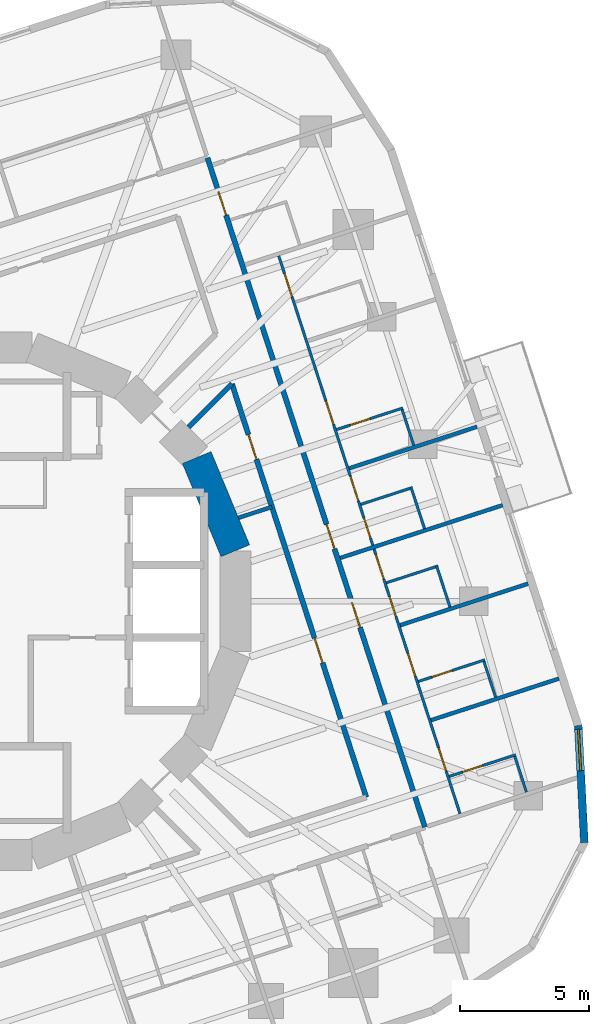
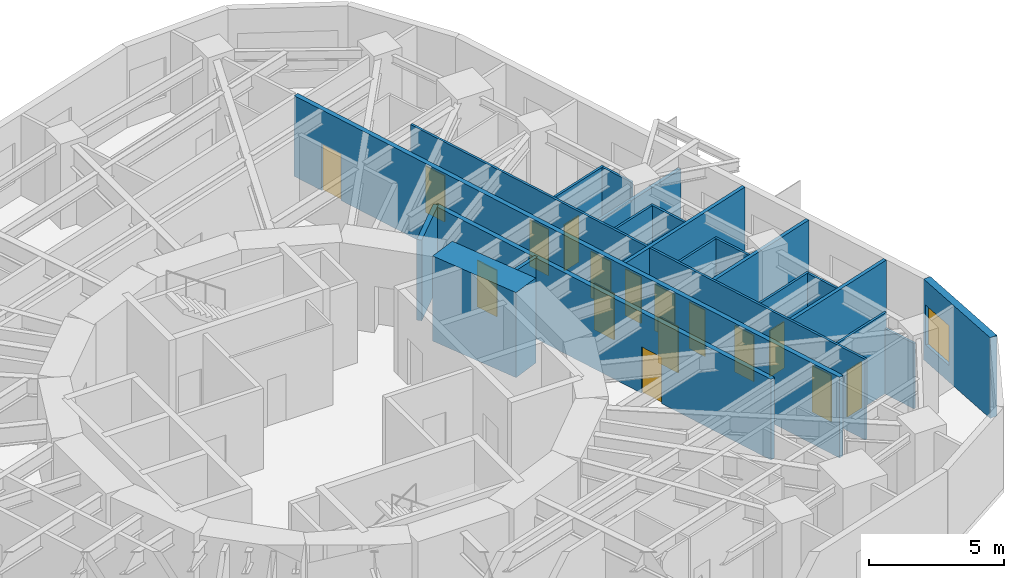
# One storey, part 8 of 12: 22 walls, 16 doors, 1 window, 17 openings.
"""IFC4 building model written with IfcOpenShell, lengths in metres."""

from ifc_helpers import new_model, si_unit, direction, frame, frame_2d, origin, place, context, subcontext, project, spatial, rectangle, extrude, material, layer, layer_set, type_object, element, fill, save


model = new_model("IFC4")

# Units and contexts
model_context = context("Model", 3, precision=1e-05, world=origin(), true_north=direction((0.0, 1.0)))
body_context = subcontext(model_context, "Body", "Model", "MODEL_VIEW")
ifc_project = project(units=[si_unit("LENGTHUNIT", "METRE"), si_unit("AREAUNIT", "SQUARE_METRE"), si_unit("VOLUMEUNIT", "CUBIC_METRE"), si_unit("PLANEANGLEUNIT", "RADIAN"), si_unit("MASSUNIT", "GRAM", prefix="KILO")], contexts=[model_context])

# Site, building, storey
site_placement = place(None, origin())
site = spatial("IfcSite", under=ifc_project, at=site_placement, CompositionType="ELEMENT")
building_placement = place(site_placement, origin())
building = spatial("IfcBuilding", under=site, at=building_placement, Name="Nakasero Lantern House", CompositionType="ELEMENT")
storey_placement = place(building_placement, frame((0.0, 0.0, 149.5)))
storey = spatial("IfcBuildingStorey", under=building, at=storey_placement, Name="L36", CompositionType="ELEMENT", Elevation=149.5)

# Wall, openings, doors
ifc_material_1 = material(Name="Blockwork", Category="masonry")
ifc_layer_1 = layer(ifc_material_1, 0.10009765625)
ifc_layer_set_1 = layer_set([ifc_layer_1], Name="Cluster hall wall 100")
wall_type_1 = type_object("IfcWallType", Name="Cluster hall wall 100", PredefinedType="PARTITIONING", material=ifc_layer_set_1)
wall_1_placement = place(storey_placement, frame((18.492919921875, -8.21240234375, 0.0), z_axis=(0.0, 0.0, 1.0), x_axis=(-0.309022441572, 0.951054746376, 0.0)))
wall_1 = element("IfcWall", 1, at=wall_1_placement, inside=storey, type_object=wall_type_1, Name="Cluster hall wall L36 HW0-0", PredefinedType="PARTITIONING", context=body_context, shape_type="SweptSolid", body=[
    extrude(rectangle(XDim=10.758056640625, YDim=0.10009765625, at=frame_2d((5.37890625, 0.0))), origin(), (0.0, 0.0, 1.0), 3.64990234375),
])
opening_1_placement = place(wall_1_placement, frame((9.532958984375, 0.0, 0.0)))
opening_1 = element("IfcOpeningElement", 2, at=opening_1_placement, cuts=wall_1, Name="Opening D03", PredefinedType="OPENING", context=body_context, shape_type="SweptSolid", body=[
    extrude(rectangle(XDim=1.0, YDim=2.10009765625, at=frame_2d((0.5, 1.050048828125))), frame((0.0, 0.070068359375, 0.0), z_axis=(0.0, -1.0, 0.0), x_axis=(1.0, 0.0, 0.0)), (0.0, 0.0, 1.0), 0.14013671875),
])
opening_2_placement = place(wall_1_placement, frame((8.01904296875, 0.0, 0.0)))
opening_2 = element("IfcOpeningElement", 3, at=opening_2_placement, cuts=wall_1, Name="Opening D02", PredefinedType="OPENING", context=body_context, shape_type="SweptSolid", body=[
    extrude(rectangle(XDim=0.800048828125, YDim=2.10009765625, at=frame_2d((0.39990234375, 1.050048828125))), frame((0.0, 0.070068359375, 0.0), z_axis=(0.0, -1.0, 0.0), x_axis=(1.0, 0.0, 0.0)), (0.0, 0.0, 1.0), 0.14013671875),
])
opening_3_placement = place(wall_1_placement, frame((1.72509765625, 0.0, 0.0)))
opening_3 = element("IfcOpeningElement", 4, at=opening_3_placement, cuts=wall_1, Name="Opening D01", PredefinedType="OPENING", context=body_context, shape_type="SweptSolid", body=[
    extrude(rectangle(XDim=0.949951171875, YDim=2.10009765625, at=frame_2d((0.47509765625, 1.050048828125))), frame((0.0, 0.070068359375, 0.0), z_axis=(0.0, -1.0, 0.0), x_axis=(1.0, 0.0, 0.0)), (0.0, 0.0, 1.0), 0.14013671875),
])
opening_4_placement = place(wall_1_placement, frame((5.58447265625, 0.0, 0.0)))
opening_4 = element("IfcOpeningElement", 5, at=opening_4_placement, cuts=wall_1, Name="Opening D01", PredefinedType="OPENING", context=body_context, shape_type="SweptSolid", body=[
    extrude(rectangle(XDim=0.949951171875, YDim=2.10009765625, at=frame_2d((0.47509765625, 1.050048828125))), frame((0.0, 0.070068359375, 0.0), z_axis=(0.0, -1.0, 0.0), x_axis=(1.0, 0.0, 0.0)), (0.0, 0.0, 1.0), 0.14013671875),
])
ifc_material_2 = material(Name="Timber C24", Category="wood")
door_type_1 = type_object("IfcDoorType", Name="Bedroom door FD30S 950", OperationType="SINGLE_SWING_LEFT", PredefinedType="DOOR", material=ifc_material_2)
door_1_placement = place(opening_3_placement, origin())
door_1 = element("IfcDoor", 6, at=door_1_placement, inside=storey, type_object=door_type_1, Name="Door L36 D0-00", OperationType="SINGLE_SWING_LEFT", OverallHeight=2.10009765625, OverallWidth=0.949951171875, PredefinedType="DOOR", context=body_context, shape_type="SweptSolid", body=[
    extrude(rectangle(XDim=0.949951171875, YDim=2.10009765625, at=frame_2d((0.47509765625, 1.050048828125))), frame((0.0, 0.02490234375, 0.0), z_axis=(0.0, -1.0, 0.0), x_axis=(1.0, 0.0, 0.0)), (0.0, 0.0, 1.0), 0.050048828125),
])
fill(opening_3, door_1)
door_2_placement = place(opening_4_placement, origin())
door_2 = element("IfcDoor", 7, at=door_2_placement, inside=storey, type_object=door_type_1, Name="Door L36 D0-01", OperationType="SINGLE_SWING_RIGHT", OverallHeight=2.10009765625, OverallWidth=0.949951171875, PredefinedType="DOOR", context=body_context, shape_type="SweptSolid", body=[
    extrude(rectangle(XDim=0.949951171875, YDim=2.10009765625, at=frame_2d((0.47509765625, 1.050048828125))), frame((0.0, 0.02490234375, 0.0), z_axis=(0.0, -1.0, 0.0), x_axis=(1.0, 0.0, 0.0)), (0.0, 0.0, 1.0), 0.050048828125),
])
fill(opening_4, door_2)
ifc_material_3 = material(Name="Timber C24", Category="wood")
door_type_2 = type_object("IfcDoorType", Name="En-suite door 800", OperationType="SINGLE_SWING_RIGHT", PredefinedType="DOOR", material=ifc_material_3)
door_3_placement = place(opening_2_placement, origin())
door_3 = element("IfcDoor", 8, at=door_3_placement, inside=storey, type_object=door_type_2, Name="Door L36 DSH0-0", OperationType="SINGLE_SWING_RIGHT", OverallHeight=2.10009765625, OverallWidth=0.800048828125, PredefinedType="DOOR", context=body_context, shape_type="SweptSolid", body=[
    extrude(rectangle(XDim=0.800048828125, YDim=2.10009765625, at=frame_2d((0.39990234375, 1.050048828125))), frame((0.0, 0.02490234375, 0.0), z_axis=(0.0, -1.0, 0.0), x_axis=(1.0, 0.0, 0.0)), (0.0, 0.0, 1.0), 0.050048828125),
])
fill(opening_2, door_3)
ifc_material_4 = material(Name="Timber C24", Category="wood")
door_type_3 = type_object("IfcDoorType", Name="Lounge door FD30S 1000", OperationType="SINGLE_SWING_LEFT", PredefinedType="DOOR", material=ifc_material_4)
door_4_placement = place(opening_1_placement, origin())
door_4 = element("IfcDoor", 9, at=door_4_placement, inside=storey, type_object=door_type_3, Name="Door L36 DH0-0", OperationType="SINGLE_SWING_RIGHT", OverallHeight=2.10009765625, OverallWidth=1.0, PredefinedType="DOOR", context=body_context, shape_type="SweptSolid", body=[
    extrude(rectangle(XDim=1.0, YDim=2.10009765625, at=frame_2d((0.5, 1.050048828125))), frame((0.0, 0.02490234375, 0.0), z_axis=(0.0, -1.0, 0.0), x_axis=(1.0, 0.0, 0.0)), (0.0, 0.0, 1.0), 0.050048828125),
])
fill(opening_1, door_4)

wall_2_placement = place(storey_placement, frame((15.1220703125, 2.161865234375, 0.0), z_axis=(0.0, 0.0, 1.0), x_axis=(-0.309009113534, 0.9510590769, 0.0)))
wall_2 = element("IfcWall", 10, at=wall_2_placement, inside=storey, type_object=wall_type_1, Name="Cluster hall wall L36 HW0-1", PredefinedType="PARTITIONING", context=body_context, shape_type="SweptSolid", body=[
    extrude(rectangle(XDim=11.76416015625, YDim=0.10009765625, at=frame_2d((5.882080078125, 0.0))), origin(), (0.0, 0.0, 1.0), 3.64990234375),
])
opening_5_placement = place(wall_2_placement, frame((1.81396484375, 0.0, 0.0)))
opening_5 = element("IfcOpeningElement", 11, at=opening_5_placement, cuts=wall_2, Name="Opening D03", PredefinedType="OPENING", context=body_context, shape_type="SweptSolid", body=[
    extrude(rectangle(XDim=1.0, YDim=2.10009765625, at=frame_2d((0.5, 1.050048828125))), frame((0.0, 0.070068359375, 0.0), z_axis=(0.0, -1.0, 0.0), x_axis=(1.0, 0.0, 0.0)), (0.0, 0.0, 1.0), 0.14013671875),
])
opening_6_placement = place(wall_2_placement, frame((0.300048828125, 0.0, 0.0)))
opening_6 = element("IfcOpeningElement", 12, at=opening_6_placement, cuts=wall_2, Name="Opening D02", PredefinedType="OPENING", context=body_context, shape_type="SweptSolid", body=[
    extrude(rectangle(XDim=0.800048828125, YDim=2.10009765625, at=frame_2d((0.39990234375, 1.050048828125))), frame((0.0, 0.070068359375, 0.0), z_axis=(0.0, -1.0, 0.0), x_axis=(1.0, 0.0, 0.0)), (0.0, 0.0, 1.0), 0.14013671875),
])
opening_7_placement = place(wall_2_placement, frame((4.9140625, 0.0, 0.0)))
opening_7 = element("IfcOpeningElement", 13, at=opening_7_placement, cuts=wall_2, Name="Opening D01", PredefinedType="OPENING", context=body_context, shape_type="SweptSolid", body=[
    extrude(rectangle(XDim=0.949951171875, YDim=2.10009765625, at=frame_2d((0.47509765625, 1.050048828125))), frame((0.0, 0.070068359375, 0.0), z_axis=(0.0, -1.0, 0.0), x_axis=(1.0, 0.0, 0.0)), (0.0, 0.0, 1.0), 0.14013671875),
])
opening_8_placement = place(wall_2_placement, frame((10.09521484375, 0.0, 0.0)))
opening_8 = element("IfcOpeningElement", 14, at=opening_8_placement, cuts=wall_2, Name="Opening D01", PredefinedType="OPENING", context=body_context, shape_type="SweptSolid", body=[
    extrude(rectangle(XDim=0.949951171875, YDim=2.10009765625, at=frame_2d((0.47509765625, 1.050048828125))), frame((0.0, 0.070068359375, 0.0), z_axis=(0.0, -1.0, 0.0), x_axis=(1.0, 0.0, 0.0)), (0.0, 0.0, 1.0), 0.14013671875),
])
door_5_placement = place(opening_7_placement, origin())
door_5 = element("IfcDoor", 15, at=door_5_placement, inside=storey, type_object=door_type_1, Name="Door L36 D0-04", OperationType="SINGLE_SWING_LEFT", OverallHeight=2.10009765625, OverallWidth=0.949951171875, PredefinedType="DOOR", context=body_context, shape_type="SweptSolid", body=[
    extrude(rectangle(XDim=0.949951171875, YDim=2.10009765625, at=frame_2d((0.47509765625, 1.050048828125))), frame((0.0, 0.02490234375, 0.0), z_axis=(0.0, -1.0, 0.0), x_axis=(1.0, 0.0, 0.0)), (0.0, 0.0, 1.0), 0.050048828125),
])
fill(opening_7, door_5)
door_6_placement = place(opening_8_placement, origin())
door_6 = element("IfcDoor", 16, at=door_6_placement, inside=storey, type_object=door_type_1, Name="Door L36 D0-05", OperationType="SINGLE_SWING_RIGHT", OverallHeight=2.10009765625, OverallWidth=0.949951171875, PredefinedType="DOOR", context=body_context, shape_type="SweptSolid", body=[
    extrude(rectangle(XDim=0.949951171875, YDim=2.10009765625, at=frame_2d((0.47509765625, 1.050048828125))), frame((0.0, 0.02490234375, 0.0), z_axis=(0.0, -1.0, 0.0), x_axis=(1.0, 0.0, 0.0)), (0.0, 0.0, 1.0), 0.050048828125),
])
fill(opening_8, door_6)
door_7_placement = place(opening_6_placement, origin())
door_7 = element("IfcDoor", 17, at=door_7_placement, inside=storey, type_object=door_type_2, Name="Door L36 DSH0-1", OperationType="SINGLE_SWING_LEFT", OverallHeight=2.10009765625, OverallWidth=0.800048828125, PredefinedType="DOOR", context=body_context, shape_type="SweptSolid", body=[
    extrude(rectangle(XDim=0.800048828125, YDim=2.10009765625, at=frame_2d((0.39990234375, 1.050048828125))), frame((0.0, 0.02490234375, 0.0), z_axis=(0.0, -1.0, 0.0), x_axis=(1.0, 0.0, 0.0)), (0.0, 0.0, 1.0), 0.050048828125),
])
fill(opening_6, door_7)
door_8_placement = place(opening_5_placement, origin())
door_8 = element("IfcDoor", 18, at=door_8_placement, inside=storey, type_object=door_type_3, Name="Door L36 DH0-1", OperationType="SINGLE_SWING_LEFT", OverallHeight=2.10009765625, OverallWidth=1.0, PredefinedType="DOOR", context=body_context, shape_type="SweptSolid", body=[
    extrude(rectangle(XDim=1.0, YDim=2.10009765625, at=frame_2d((0.5, 1.050048828125))), frame((0.0, 0.02490234375, 0.0), z_axis=(0.0, -1.0, 0.0), x_axis=(1.0, 0.0, 0.0)), (0.0, 0.0, 1.0), 0.050048828125),
])
fill(opening_5, door_8)

# Wall
ifc_material_5 = material(Name="Concrete C50/60", Category="concrete")
ifc_layer_2 = layer(ifc_material_5, 1.199951171875)
ifc_layer_set_2 = layer_set([ifc_layer_2], Name="Core wall 1200")
wall_type_2 = type_object("IfcWallType", Name="Core wall 1200", PredefinedType="SHEAR", material=ifc_layer_set_2)
wall_3_placement = place(storey_placement, frame((9.807861328125, 1.950927734375, 0.0), z_axis=(0.0, 0.0, 1.0), x_axis=(-0.382690736062, 0.923876507187, 0.0)))
element("IfcWall", 19, at=wall_3_placement, inside=storey, type_object=wall_type_2, Name="Core wall L36 facet 1", PredefinedType="SHEAR", context=body_context, shape_type="SweptSolid", body=[
    extrude(rectangle(XDim=3.90185546875, YDim=1.199951171875, at=frame_2d((1.950927734375, 0.0))), origin(), (0.0, 0.0, 1.0), 3.85009765625),
])

# Wall, openings, doors
ifc_material_6 = material(Name="Blockwork", Category="masonry")
ifc_layer_3 = layer(ifc_material_6, 0.199951171875)
ifc_layer_set_3 = layer_set([ifc_layer_3], Name="Corridor wall 200")
wall_type_3 = type_object("IfcWallType", Name="Corridor wall 200", PredefinedType="PARTITIONING", material=ifc_layer_set_3)
wall_4_placement = place(storey_placement, frame((17.136962890625, -8.731689453125, 0.0), z_axis=(0.0, 0.0, 1.0), x_axis=(-0.309018283835, 0.951056097323, 0.0)))
wall_4 = element("IfcWall", 20, at=wall_4_placement, inside=storey, type_object=wall_type_3, Name="Corridor wall L36 CW0", PredefinedType="PARTITIONING", context=body_context, shape_type="SweptSolid", body=[
    extrude(rectangle(XDim=27.199951171875, YDim=0.199951171875, at=frame_2d((13.60009765625, 0.0))), origin(), (0.0, 0.0, 1.0), 3.64990234375),
])
opening_9_placement = place(wall_4_placement, frame((8.118896484375, 0.0, 0.0)))
opening_9 = element("IfcOpeningElement", 21, at=opening_9_placement, cuts=wall_4, Name="Opening D14", PredefinedType="OPENING", context=body_context, shape_type="SweptSolid", body=[
    extrude(rectangle(XDim=1.0, YDim=2.10009765625, at=frame_2d((0.5, 1.050048828125))), frame((0.0, 0.119873046875, 0.0), z_axis=(0.0, -1.0, 0.0), x_axis=(1.0, 0.0, 0.0)), (0.0, 0.0, 1.0), 0.239990234375),
])
opening_10_placement = place(wall_4_placement, frame((11.30810546875, 0.0, 0.0)))
opening_10 = element("IfcOpeningElement", 22, at=opening_10_placement, cuts=wall_4, Name="Opening D14", PredefinedType="OPENING", context=body_context, shape_type="SweptSolid", body=[
    extrude(rectangle(XDim=1.0, YDim=2.10009765625, at=frame_2d((0.5, 1.050048828125))), frame((0.0, 0.119873046875, 0.0), z_axis=(0.0, -1.0, 0.0), x_axis=(1.0, 0.0, 0.0)), (0.0, 0.0, 1.0), 0.239990234375),
])
opening_11_placement = place(wall_4_placement, frame((24.872314453125, 0.0, 0.0)))
opening_11 = element("IfcOpeningElement", 23, at=opening_11_placement, cuts=wall_4, Name="Opening D01", PredefinedType="OPENING", context=body_context, shape_type="SweptSolid", body=[
    extrude(rectangle(XDim=0.949951171875, YDim=2.10009765625, at=frame_2d((0.47509765625, 1.050048828125))), frame((0.0, 0.119873046875, 0.0), z_axis=(0.0, -1.0, 0.0), x_axis=(1.0, 0.0, 0.0)), (0.0, 0.0, 1.0), 0.239990234375),
])
door_9_placement = place(opening_11_placement, origin())
door_9 = element("IfcDoor", 24, at=door_9_placement, inside=storey, type_object=door_type_1, Name="Door L36 D0-06", OperationType="SINGLE_SWING_RIGHT", OverallHeight=2.10009765625, OverallWidth=0.949951171875, PredefinedType="DOOR", context=body_context, shape_type="SweptSolid", body=[
    extrude(rectangle(XDim=0.949951171875, YDim=2.10009765625, at=frame_2d((0.47509765625, 1.050048828125))), frame((0.0, 0.02490234375, 0.0), z_axis=(0.0, -1.0, 0.0), x_axis=(1.0, 0.0, 0.0)), (0.0, 0.0, 1.0), 0.050048828125),
])
fill(opening_11, door_9)
ifc_material_7 = material(Name="Timber C24", Category="wood")
door_type_4 = type_object("IfcDoorType", Name="Cluster entrance door FD30S 1000", OperationType="SINGLE_SWING_LEFT", PredefinedType="DOOR", material=ifc_material_7)
door_10_placement = place(opening_9_placement, origin())
door_10 = element("IfcDoor", 25, at=door_10_placement, inside=storey, type_object=door_type_4, Name="Door L36 DF0-0", OperationType="SINGLE_SWING_LEFT", OverallHeight=2.10009765625, OverallWidth=1.0, PredefinedType="DOOR", context=body_context, shape_type="SweptSolid", body=[
    extrude(rectangle(XDim=1.0, YDim=2.10009765625, at=frame_2d((0.5, 1.050048828125))), frame((0.0, 0.02490234375, 0.0), z_axis=(0.0, -1.0, 0.0), x_axis=(1.0, 0.0, 0.0)), (0.0, 0.0, 1.0), 0.050048828125),
])
fill(opening_9, door_10)
door_11_placement = place(opening_10_placement, origin())
door_11 = element("IfcDoor", 26, at=door_11_placement, inside=storey, type_object=door_type_4, Name="Door L36 DF0-1", OperationType="SINGLE_SWING_LEFT", OverallHeight=2.10009765625, OverallWidth=1.0, PredefinedType="DOOR", context=body_context, shape_type="SweptSolid", body=[
    extrude(rectangle(XDim=1.0, YDim=2.10009765625, at=frame_2d((0.5, 1.050048828125))), frame((0.0, 0.02490234375, 0.0), z_axis=(0.0, -1.0, 0.0), x_axis=(1.0, 0.0, 0.0)), (0.0, 0.0, 1.0), 0.050048828125),
])
fill(opening_10, door_11)

wall_5_placement = place(storey_placement, frame((14.868896484375, -7.576171875, 0.0), z_axis=(0.0, 0.0, 1.0), x_axis=(-0.309013133095, 0.951057770893, 0.0)))
wall_5 = element("IfcWall", 27, at=wall_5_placement, inside=storey, type_object=wall_type_3, Name="Corridor wall L36 IW0-0", PredefinedType="PARTITIONING", context=body_context, shape_type="SweptSolid", body=[
    extrude(rectangle(XDim=16.80224609375, YDim=0.199951171875, at=frame_2d((8.401123046875, 0.0))), origin(), (0.0, 0.0, 1.0), 3.64990234375),
])
opening_12_placement = place(wall_5_placement, frame((5.46240234375, 0.0, 0.0)))
opening_12 = element("IfcOpeningElement", 28, at=opening_12_placement, cuts=wall_5, Name="Opening D07", PredefinedType="OPENING", context=body_context, shape_type="SweptSolid", body=[
    extrude(rectangle(XDim=1.0, YDim=2.10009765625, at=frame_2d((0.5, 1.050048828125))), frame((0.0, 0.119873046875, 0.0), z_axis=(0.0, -1.0, 0.0), x_axis=(1.0, 0.0, 0.0)), (0.0, 0.0, 1.0), 0.239990234375),
])
opening_13_placement = place(wall_5_placement, frame((13.73876953125, 0.0, 0.0)))
opening_13 = element("IfcOpeningElement", 29, at=opening_13_placement, cuts=wall_5, Name="Opening D07", PredefinedType="OPENING", context=body_context, shape_type="SweptSolid", body=[
    extrude(rectangle(XDim=1.0, YDim=2.10009765625, at=frame_2d((0.5, 1.050048828125))), frame((0.0, 0.119873046875, 0.0), z_axis=(0.0, -1.0, 0.0), x_axis=(1.0, 0.0, 0.0)), (0.0, 0.0, 1.0), 0.239990234375),
])
ifc_material_8 = material(Name="Timber C24", Category="wood")
door_type_5 = type_object("IfcDoorType", Name="Room door FD30S 1000", OperationType="SINGLE_SWING_LEFT", PredefinedType="DOOR", material=ifc_material_8)
door_12_placement = place(opening_12_placement, origin())
door_12 = element("IfcDoor", 30, at=door_12_placement, inside=storey, type_object=door_type_5, Name="Door L36 DI4", OperationType="SINGLE_SWING_LEFT", OverallHeight=2.10009765625, OverallWidth=1.0, PredefinedType="DOOR", context=body_context, shape_type="SweptSolid", body=[
    extrude(rectangle(XDim=1.0, YDim=2.10009765625, at=frame_2d((0.5, 1.050048828125))), frame((0.0, 0.02490234375, 0.0), z_axis=(0.0, -1.0, 0.0), x_axis=(1.0, 0.0, 0.0)), (0.0, 0.0, 1.0), 0.050048828125),
])
fill(opening_12, door_12)
door_13_placement = place(opening_13_placement, origin())
door_13 = element("IfcDoor", 31, at=door_13_placement, inside=storey, type_object=door_type_5, Name="Door L36 DI5", OperationType="SINGLE_SWING_RIGHT", OverallHeight=2.10009765625, OverallWidth=1.0, PredefinedType="DOOR", context=body_context, shape_type="SweptSolid", body=[
    extrude(rectangle(XDim=1.0, YDim=2.10009765625, at=frame_2d((0.5, 1.050048828125))), frame((0.0, 0.02490234375, 0.0), z_axis=(0.0, -1.0, 0.0), x_axis=(1.0, 0.0, 0.0)), (0.0, 0.0, 1.0), 0.050048828125),
])
fill(opening_13, door_13)

# Walls
wall_6_placement = place(storey_placement, frame((7.995849609375, 6.72314453125, 0.0), z_axis=(0.0, 0.0, 1.0), x_axis=(0.707158134306, 0.707055424337, 0.0)))
element("IfcWall", 32, at=wall_6_placement, inside=storey, type_object=wall_type_3, Name="Corridor wall L36 PS02b", PredefinedType="PARTITIONING", context=body_context, shape_type="SweptSolid", body=[
    extrude(rectangle(XDim=2.376953125, YDim=0.199951171875, at=frame_2d((1.1884765625, 0.0))), origin(), (0.0, 0.0, 1.0), 3.64990234375),
])
ifc_material_9 = material(Name="Blockwork", Category="masonry")
ifc_layer_4 = layer(ifc_material_9, 0.10009765625)
ifc_layer_set_4 = layer_set([ifc_layer_4], Name="En-suite wall 100")
wall_type_4 = type_object("IfcWallType", Name="En-suite wall 100", PredefinedType="PARTITIONING", material=ifc_layer_set_4)
wall_7_placement = place(storey_placement, frame((15.645263671875, 0.713623046875, 0.0), z_axis=(0.0, 0.0, 1.0), x_axis=(0.951062257173, 0.308999325213, 0.0)))
element("IfcWall", 33, at=wall_7_placement, inside=storey, type_object=wall_type_4, Name="En-suite wall L36 SS0-0", PredefinedType="PARTITIONING", context=body_context, shape_type="SweptSolid", body=[
    extrude(rectangle(XDim=2.10009765625, YDim=0.10009765625, at=frame_2d((1.050048828125, 0.0))), origin(), (0.0, 0.0, 1.0), 3.64990234375),
])
wall_8_placement = place(storey_placement, frame((18.104736328125, -0.22216796875, 0.0), z_axis=(0.0, 0.0, 1.0), x_axis=(-0.309066587596, 0.951040401051, 0.0)))
element("IfcWall", 34, at=wall_8_placement, inside=storey, type_object=wall_type_4, Name="En-suite wall L36 SE0-0", PredefinedType="PARTITIONING", context=body_context, shape_type="SweptSolid", body=[
    extrude(rectangle(XDim=1.699951171875, YDim=0.10009765625, at=frame_2d((0.85009765625, 0.0))), origin(), (0.0, 0.0, 1.0), 3.64990234375),
])
wall_9_placement = place(storey_placement, frame((14.65966796875, 3.74658203125, 0.0), z_axis=(0.0, 0.0, 1.0), x_axis=(0.951062257173, 0.308999325213, 0.0)))
element("IfcWall", 35, at=wall_9_placement, inside=storey, type_object=wall_type_4, Name="En-suite wall L36 SS0-1", PredefinedType="PARTITIONING", context=body_context, shape_type="SweptSolid", body=[
    extrude(rectangle(XDim=2.10009765625, YDim=0.10009765625, at=frame_2d((1.050048828125, 0.0))), origin(), (0.0, 0.0, 1.0), 3.64990234375),
])
wall_10_placement = place(storey_placement, frame((17.119384765625, 2.810791015625, 0.0), z_axis=(0.0, 0.0, 1.0), x_axis=(-0.309066587596, 0.951040401051, 0.0)))
element("IfcWall", 36, at=wall_10_placement, inside=storey, type_object=wall_type_4, Name="En-suite wall L36 SE0-1", PredefinedType="PARTITIONING", context=body_context, shape_type="SweptSolid", body=[
    extrude(rectangle(XDim=1.699951171875, YDim=0.10009765625, at=frame_2d((0.85009765625, 0.0))), origin(), (0.0, 0.0, 1.0), 3.64990234375),
])

# Wall, opening, door
wall_11_placement = place(storey_placement, frame((18.076904296875, -6.770263671875, 0.0), z_axis=(0.0, 0.0, 1.0), x_axis=(0.951069945308, 0.308975661068, 0.0)))
wall_11 = element("IfcWall", 37, at=wall_11_placement, inside=storey, type_object=wall_type_4, Name="En-suite wall L36 ES0-00", PredefinedType="PARTITIONING", context=body_context, shape_type="SweptSolid", body=[
    extrude(rectangle(XDim=2.699951171875, YDim=0.10009765625, at=frame_2d((1.35009765625, 0.0))), origin(), (0.0, 0.0, 1.0), 3.64990234375),
])
opening_14_placement = place(wall_11_placement, frame((0.550048828125, 0.0, 0.0)))
opening_14 = element("IfcOpeningElement", 38, at=opening_14_placement, cuts=wall_11, Name="Opening D02", PredefinedType="OPENING", context=body_context, shape_type="SweptSolid", body=[
    extrude(rectangle(XDim=0.800048828125, YDim=2.10009765625, at=frame_2d((0.39990234375, 1.050048828125))), frame((0.0, 0.070068359375, 0.0), z_axis=(0.0, -1.0, 0.0), x_axis=(1.0, 0.0, 0.0)), (0.0, 0.0, 1.0), 0.14013671875),
])
door_14_placement = place(opening_14_placement, origin())
door_14 = element("IfcDoor", 39, at=door_14_placement, inside=storey, type_object=door_type_2, Name="Door L36 DE0-00", OperationType="SINGLE_SWING_LEFT", OverallHeight=2.10009765625, OverallWidth=0.800048828125, PredefinedType="DOOR", context=body_context, shape_type="SweptSolid", body=[
    extrude(rectangle(XDim=0.800048828125, YDim=2.10009765625, at=frame_2d((0.39990234375, 1.050048828125))), frame((0.0, 0.02490234375, 0.0), z_axis=(0.0, -1.0, 0.0), x_axis=(1.0, 0.0, 0.0)), (0.0, 0.0, 1.0), 0.050048828125),
])
fill(opening_14, door_14)

# Wall
wall_12_placement = place(storey_placement, frame((21.060791015625, -7.3779296875, 0.0), z_axis=(0.0, 0.0, 1.0), x_axis=(-0.309146989542, 0.951014268482, 0.0)))
element("IfcWall", 40, at=wall_12_placement, inside=storey, type_object=wall_type_4, Name="En-suite wall L36 EE0-00", PredefinedType="PARTITIONING", context=body_context, shape_type="SweptSolid", body=[
    extrude(rectangle(XDim=1.449951171875, YDim=0.10009765625, at=frame_2d((0.72509765625, 0.0))), origin(), (0.0, 0.0, 1.0), 2.95703125),
])

# Wall, opening, door
wall_13_placement = place(storey_placement, frame((16.88427734375, -3.099609375, 0.0), z_axis=(0.0, 0.0, 1.0), x_axis=(0.951069945308, 0.308975661068, 0.0)))
wall_13 = element("IfcWall", 41, at=wall_13_placement, inside=storey, type_object=wall_type_4, Name="En-suite wall L36 ES0-01", PredefinedType="PARTITIONING", context=body_context, shape_type="SweptSolid", body=[
    extrude(rectangle(XDim=2.699951171875, YDim=0.10009765625, at=frame_2d((1.35009765625, 0.0))), origin(), (0.0, 0.0, 1.0), 3.64990234375),
])
opening_15_placement = place(wall_13_placement, frame((0.550048828125, 0.0, 0.0)))
opening_15 = element("IfcOpeningElement", 42, at=opening_15_placement, cuts=wall_13, Name="Opening D02", PredefinedType="OPENING", context=body_context, shape_type="SweptSolid", body=[
    extrude(rectangle(XDim=0.800048828125, YDim=2.10009765625, at=frame_2d((0.39990234375, 1.050048828125))), frame((0.0, 0.070068359375, 0.0), z_axis=(0.0, -1.0, 0.0), x_axis=(1.0, 0.0, 0.0)), (0.0, 0.0, 1.0), 0.14013671875),
])
door_15_placement = place(opening_15_placement, origin())
door_15 = element("IfcDoor", 43, at=door_15_placement, inside=storey, type_object=door_type_2, Name="Door L36 DE0-01", OperationType="SINGLE_SWING_LEFT", OverallHeight=2.10009765625, OverallWidth=0.800048828125, PredefinedType="DOOR", context=body_context, shape_type="SweptSolid", body=[
    extrude(rectangle(XDim=0.800048828125, YDim=2.10009765625, at=frame_2d((0.39990234375, 1.050048828125))), frame((0.0, 0.02490234375, 0.0), z_axis=(0.0, -1.0, 0.0), x_axis=(1.0, 0.0, 0.0)), (0.0, 0.0, 1.0), 0.050048828125),
])
fill(opening_15, door_15)

# Wall
wall_14_placement = place(storey_placement, frame((19.8681640625, -3.70751953125, 0.0), z_axis=(0.0, 0.0, 1.0), x_axis=(-0.309097492581, 0.951030357076, 0.0)))
element("IfcWall", 44, at=wall_14_placement, inside=storey, type_object=wall_type_4, Name="En-suite wall L36 EE0-01", PredefinedType="PARTITIONING", context=body_context, shape_type="SweptSolid", body=[
    extrude(rectangle(XDim=1.4501953125, YDim=0.10009765625, at=frame_2d((0.72509765625, 0.0))), origin(), (0.0, 0.0, 1.0), 3.64990234375),
])

# Wall, opening, door
wall_15_placement = place(storey_placement, frame((13.720703125, 6.63671875, 0.0), z_axis=(0.0, 0.0, 1.0), x_axis=(0.951043371037, 0.309057448393, 0.0)))
wall_15 = element("IfcWall", 45, at=wall_15_placement, inside=storey, type_object=wall_type_4, Name="En-suite wall L36 ES0-04", PredefinedType="PARTITIONING", context=body_context, shape_type="SweptSolid", body=[
    extrude(rectangle(XDim=2.699951171875, YDim=0.10009765625, at=frame_2d((1.35009765625, 0.0))), origin(), (0.0, 0.0, 1.0), 3.64990234375),
])
opening_16_placement = place(wall_15_placement, frame((0.550048828125, 0.0, 0.0)))
opening_16 = element("IfcOpeningElement", 46, at=opening_16_placement, cuts=wall_15, Name="Opening D02", PredefinedType="OPENING", context=body_context, shape_type="SweptSolid", body=[
    extrude(rectangle(XDim=0.800048828125, YDim=2.10009765625, at=frame_2d((0.39990234375, 1.050048828125))), frame((0.0, 0.070068359375, 0.0), z_axis=(0.0, -1.0, 0.0), x_axis=(1.0, 0.0, 0.0)), (0.0, 0.0, 1.0), 0.14013671875),
])
door_16_placement = place(opening_16_placement, origin())
door_16 = element("IfcDoor", 47, at=door_16_placement, inside=storey, type_object=door_type_2, Name="Door L36 DE0-04", OperationType="SINGLE_SWING_LEFT", OverallHeight=2.10009765625, OverallWidth=0.800048828125, PredefinedType="DOOR", context=body_context, shape_type="SweptSolid", body=[
    extrude(rectangle(XDim=0.800048828125, YDim=2.10009765625, at=frame_2d((0.39990234375, 1.050048828125))), frame((0.0, 0.02490234375, 0.0), z_axis=(0.0, -1.0, 0.0), x_axis=(1.0, 0.0, 0.0)), (0.0, 0.0, 1.0), 0.050048828125),
])
fill(opening_16, door_16)

# Wall
wall_16_placement = place(storey_placement, frame((16.70458984375, 6.029052734375, 0.0), z_axis=(0.0, 0.0, 1.0), x_axis=(-0.309097492581, 0.951030357076, 0.0)))
element("IfcWall", 48, at=wall_16_placement, inside=storey, type_object=wall_type_4, Name="En-suite wall L36 EE0-04", PredefinedType="PARTITIONING", context=body_context, shape_type="SweptSolid", body=[
    extrude(rectangle(XDim=1.4501953125, YDim=0.10009765625, at=frame_2d((0.72509765625, 0.0))), origin(), (0.0, 0.0, 1.0), 3.64990234375),
])

# Wall, opening, window
ifc_material_10 = material(Name="Aluminium rainscreen on blockwork", Category="masonry")
ifc_layer_5 = layer(ifc_material_10, 0.300048828125)
ifc_layer_set_5 = layer_set([ifc_layer_5], Name="Facade wall 300")
wall_type_5 = type_object("IfcWallType", Name="Facade wall 300", PredefinedType="SOLIDWALL", material=ifc_layer_set_5)
wall_17_placement = place(storey_placement, frame((23.3017578125, -9.3310546875, 0.0), z_axis=(0.0, 0.0, 1.0), x_axis=(-0.052338164079, 0.998629419044, 0.0)))
wall_17 = element("IfcWall", 49, at=wall_17_placement, inside=storey, type_object=wall_type_5, Name="Facade wall L36 FW3C3", PredefinedType="SOLIDWALL", context=body_context, shape_type="SweptSolid", body=[
    extrude(rectangle(XDim=4.529296875, YDim=0.300048828125, at=frame_2d((2.2646484375, 0.0))), origin(), (0.0, 0.0, 1.0), 3.64990234375),
])
opening_17_placement = place(wall_17_placement, frame((2.784912109375, 0.0, 0.75)))
opening_17 = element("IfcOpeningElement", 50, at=opening_17_placement, cuts=wall_17, Name="Opening W01", PredefinedType="OPENING", context=body_context, shape_type="SweptSolid", body=[
    extrude(rectangle(XDim=1.60009765625, YDim=1.800048828125, at=frame_2d((0.800048828125, 0.89990234375))), frame((0.0, 0.169921875, 0.0), z_axis=(0.0, -1.0, 0.0), x_axis=(1.0, 0.0, 0.0)), (0.0, 0.0, 1.0), 0.340087890625),
])
ifc_material_11 = material(Name="Aluminium 6063-T6 and glass", Category="aluminium")
window_type = type_object("IfcWindowType", Name="Bedroom window 1600x1800", PartitioningType="SINGLE_PANEL", PredefinedType="WINDOW", material=ifc_material_11)
window_placement = place(opening_17_placement, origin())
window = element("IfcWindow", 51, at=window_placement, inside=storey, type_object=window_type, Name="Window L36 WN0-00", OverallHeight=1.800048828125, OverallWidth=1.60009765625, PartitioningType="SINGLE_PANEL", PredefinedType="WINDOW", context=body_context, shape_type="SweptSolid", body=[
    extrude(rectangle(XDim=1.60009765625, YDim=1.800048828125, at=frame_2d((0.800048828125, 0.89990234375))), frame((0.0, 0.030029296875, 0.0), z_axis=(0.0, -1.0, 0.0), x_axis=(1.0, 0.0, 0.0)), (0.0, 0.0, 1.0), 0.06005859375),
])
fill(opening_17, window)

# Walls
ifc_material_12 = material(Name="Blockwork", Category="masonry")
ifc_layer_6 = layer(ifc_material_12, 0.14990234375)
ifc_layer_set_6 = layer_set([ifc_layer_6], Name="Party wall 150")
wall_type_6 = type_object("IfcWallType", Name="Party wall 150", PredefinedType="PARTITIONING", material=ifc_layer_set_6)
for number, where, z_axis, x_axis, name in (
    (52, (17.370849609375, -4.59765625, 0.0), (0.0, 0.0, 1.0), (0.951055112834, 0.309021313752, 0.0), "Party wall L36 PW0-01"),
    (53, (16.17822265625, -0.927001953125, 0.0), (0.0, 0.0, 1.0), (0.951055112834, 0.309021313752, 0.0), "Party wall L36 PW0-02"),
):
    element("IfcWall", number, at=place(storey_placement, frame(where, z_axis=z_axis, x_axis=x_axis)), inside=storey, type_object=wall_type_6, Name=name, PredefinedType="PARTITIONING", context=body_context, shape_type="SweptSolid", body=[
        extrude(rectangle(XDim=5.2001953125, YDim=0.14990234375, at=frame_2d((2.60009765625, 0.0))), origin(), (0.0, 0.0, 1.0), 3.64990234375),
    ])
wall_18_placement = place(storey_placement, frame((13.861328125, 1.67333984375, 0.0), z_axis=(0.0, 0.0, 1.0), x_axis=(0.951056628375, 0.309016649428, 0.0)))
element("IfcWall", 54, at=wall_18_placement, inside=storey, type_object=wall_type_6, Name="Party wall L36 PW0-03", PredefinedType="PARTITIONING", context=body_context, shape_type="SweptSolid", body=[
    extrude(rectangle(XDim=6.60009765625, YDim=0.14990234375, at=frame_2d((3.300048828125, 0.0))), origin(), (0.0, 0.0, 1.0), 3.64990234375),
])
wall_19_placement = place(storey_placement, frame((14.207275390625, 5.138916015625, 0.0), z_axis=(0.0, 0.0, 1.0), x_axis=(0.951055112834, 0.309021313752, 0.0)))
element("IfcWall", 55, at=wall_19_placement, inside=storey, type_object=wall_type_6, Name="Party wall L36 PW0-04", PredefinedType="PARTITIONING", context=body_context, shape_type="SweptSolid", body=[
    extrude(rectangle(XDim=5.2001953125, YDim=0.14990234375, at=frame_2d((2.60009765625, 0.0))), origin(), (0.0, 0.0, 1.0), 2.966552734375),
])
wall_20_placement = place(storey_placement, frame((11.222412109375, 3.646484375, 0.0), z_axis=(0.0, 0.0, 1.0), x_axis=(-0.951026153486, -0.309110425878, 0.0)))
element("IfcWall", 56, at=wall_20_placement, inside=storey, type_object=wall_type_6, Name="Party wall L36 IM0", PredefinedType="PARTITIONING", context=body_context, shape_type="SweptSolid", body=[
    extrude(rectangle(XDim=1.360107421875, YDim=0.14990234375, at=frame_2d((0.68017578125, 0.0))), origin(), (0.0, 0.0, 1.0), 3.64990234375),
])

save(model, "model.ifc")
